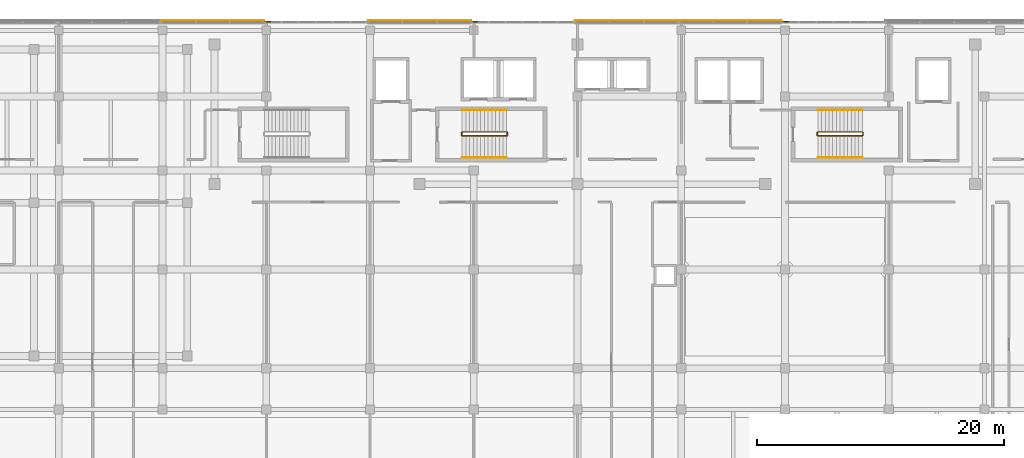
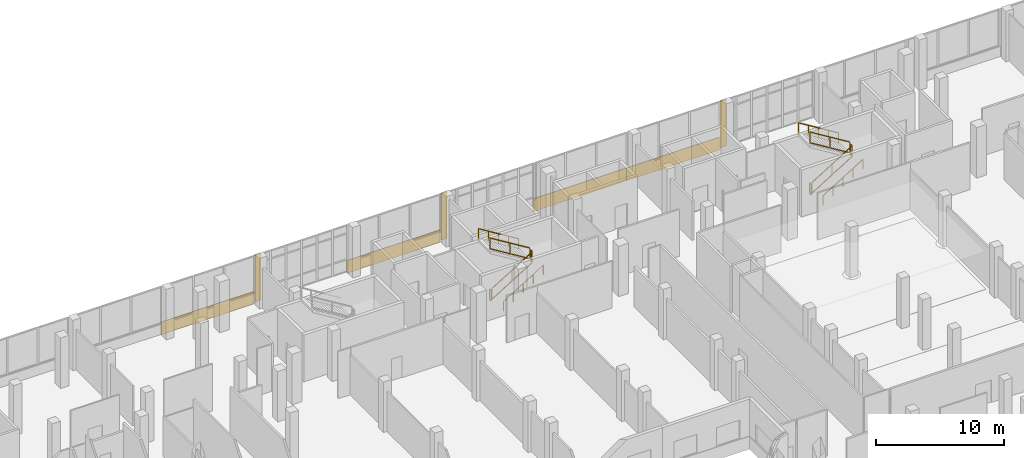
# One storey, part 153 of 155: 12 railings, 7 coverings.
"""IFC4 building model written with IfcOpenShell, lengths in metres."""

import ifcopenshell
import ifcopenshell.guid

model = None  # the IFC model being written
_history = None  # IfcOwnerHistory: only IFC2X3 demands one
_inside = {}  # id of a spatial element -> (the spatial element, [elements in it])
_under = {}  # id of a project, library or spatial element -> (it, [spatial elements below it])
_declared = {}  # id of a project -> (the project, [libraries it declares])
_typed = {}  # id of a type object -> (the type object, [elements of that type])
_made_of = {}  # id of a material, layer set ... -> (it, [elements and type objects made of it])


def new_model(schema):
    """Start an empty IFC model of exactly this schema.

    Asked for "IFC4X3", IfcOpenShell would pick the latest addendum, in which some entities
    have other attributes; the version numbers below select the first issue.
    IFC2X3 requires an IfcOwnerHistory on every rooted entity: one is made here for all.
    """
    global model, _history
    if schema == "IFC4X3":
        model = ifcopenshell.file(schema_version=(4, 3, 0, 0))
    else:
        model = ifcopenshell.file(schema=schema)
    _inside.clear()
    _under.clear()
    _declared.clear()
    _typed.clear()
    _made_of.clear()
    _history = None
    if model.schema == "IFC2X3":
        org = make("IfcOrganization", Name="unknown")
        user = make(
            "IfcPersonAndOrganization",
            ThePerson=make("IfcPerson", FamilyName="unknown"),
            TheOrganization=org,
        )
        app = make(
            "IfcApplication",
            ApplicationDeveloper=org,
            Version="unknown",
            ApplicationFullName="unknown",
            ApplicationIdentifier="unknown",
        )
        _history = make(
            "IfcOwnerHistory",
            OwningUser=user,
            OwningApplication=app,
            ChangeAction="ADDED",
            CreationDate=0,
        )
    return model


def make(cls, **values):
    """One entity of the class cls with the attributes given. An attribute that is None is left unset."""
    return model.create_entity(
        cls, **{name: value for name, value in values.items() if value is not None}
    )


def rooted(cls, **values):
    """An entity with a GlobalId (a new one), such as an element, a storey or a relation."""
    return make(cls, GlobalId=ifcopenshell.guid.new(), OwnerHistory=_history, **values)


def si_unit(unit_type, name, prefix=None):
    """IfcSIUnit, for example si_unit("LENGTHUNIT", "METRE", prefix="MILLI")."""
    return make("IfcSIUnit", UnitType=unit_type, Prefix=prefix, Name=name)


def assignment(units):
    """IfcUnitAssignment: the units of a project."""
    return None if units is None else make("IfcUnitAssignment", Units=units)


def point(xyz):
    """IfcCartesianPoint."""
    return None if xyz is None else make("IfcCartesianPoint", Coordinates=xyz)


def direction(xyz):
    """IfcDirection."""
    return None if xyz is None else make("IfcDirection", DirectionRatios=xyz)


def frame(location, z_axis=None, x_axis=None):
    """IfcAxis2Placement3D, a coordinate frame: its origin and axes. An axis left out is left unset."""
    return make(
        "IfcAxis2Placement3D",
        Location=point(location),
        Axis=direction(z_axis),
        RefDirection=direction(x_axis),
    )


def frame_2d(location, x_axis=None):
    """IfcAxis2Placement2D, a coordinate frame in the plane: its origin and x axis."""
    return make(
        "IfcAxis2Placement2D", Location=point(location), RefDirection=direction(x_axis)
    )


def origin():
    """The frame at (0, 0, 0) with its axes left unset."""
    return frame((0.0, 0.0, 0.0))


def origin_2d():
    """The frame at (0, 0) in the plane with its x axis left unset."""
    return frame_2d((0.0, 0.0))


def place(relative_to, where):
    """IfcLocalPlacement: puts the frame where relative to a parent placement (None: the world)."""
    return make(
        "IfcLocalPlacement", PlacementRelTo=relative_to, RelativePlacement=where
    )


def context(
    kind, dimensions, precision=None, world=None, true_north=None, identifier=None
):
    """IfcGeometricRepresentationContext, for example the 3D "Model" context."""
    return make(
        "IfcGeometricRepresentationContext",
        ContextIdentifier=identifier,
        ContextType=kind,
        CoordinateSpaceDimension=dimensions,
        Precision=precision,
        WorldCoordinateSystem=world,
        TrueNorth=true_north,
    )


def subcontext(parent, identifier, kind, view, scale=None):
    """IfcGeometricRepresentationSubContext, for example "Body" below "Model"."""
    return make(
        "IfcGeometricRepresentationSubContext",
        ContextIdentifier=identifier,
        ContextType=kind,
        ParentContext=parent,
        TargetScale=scale,
        TargetView=view,
    )


def project(units=None, contexts=None):
    """IfcProject with its units and contexts."""
    return rooted(
        "IfcProject",
        Name="project",
        RepresentationContexts=contexts,
        UnitsInContext=assignment(units),
    )


def spatial(cls, under=None, at=None, **own):
    """A site, building, storey or space (cls), placed at a placement, below another one or the project."""
    s = rooted(cls, ObjectPlacement=at, **own)
    if under is not None:
        _under.setdefault(under.id(), (under, []))[1].append(s)
    return s


def profile(cls, at=None, kind="AREA", **sizes):
    """A parametric profile (cls). Its sizes go by their IFC names, for example OverallWidth=200.0."""
    return make(cls, ProfileType=kind, Position=at, **sizes)


def rectangle(**sizes):
    """IfcRectangleProfileDef."""
    return profile("IfcRectangleProfileDef", **sizes)


def circle(**sizes):
    """IfcCircleProfileDef."""
    return profile("IfcCircleProfileDef", **sizes)


def extrude(swept, where, along, depth):
    """IfcExtrudedAreaSolid: the profile swept, set in the frame where, extruded along a direction by depth."""
    return make(
        "IfcExtrudedAreaSolid",
        SweptArea=swept,
        Position=where,
        ExtrudedDirection=direction(along),
        Depth=depth,
    )


def shape(context_of_items, identifier, shape_type, items):
    """IfcShapeRepresentation: the items that make up one representation, for example the "Body"."""
    return make(
        "IfcShapeRepresentation",
        ContextOfItems=context_of_items,
        RepresentationIdentifier=identifier,
        RepresentationType=shape_type,
        Items=items,
    )


def material(Name=None, Category=None):
    """IfcMaterial."""
    return make("IfcMaterial", Name=Name, Category=Category)


def layer(
    of_material, thickness, ventilated=None, Name=None, Category=None, Priority=None
):
    """IfcMaterialLayer: one layer of a wall or slab, of a material (None: an air gap)."""
    return make(
        "IfcMaterialLayer",
        Material=of_material,
        LayerThickness=thickness,
        IsVentilated=ventilated,
        Name=Name,
        Category=Category,
        Priority=Priority,
    )


def layer_set(layers, Name=None):
    """IfcMaterialLayerSet."""
    return make("IfcMaterialLayerSet", MaterialLayers=layers, LayerSetName=Name)


def made_of(thing, what):
    """Note that an element or type object is made of a material, layer set ...; save() writes the relation."""
    if what is not None:
        _made_of.setdefault(what.id(), (what, []))[1].append(thing)
    return thing


def type_object(cls, material=None, **own):
    """A type object (cls), such as IfcWallType, which elements share."""
    return made_of(rooted(cls, **own), material)


def element(
    cls,
    number,
    at=None,
    inside=None,
    cuts=None,
    type_object=None,
    material=None,
    context=None,
    identifier="Body",
    shape_type=None,
    held_by="IfcProductDefinitionShape",
    body=None,
    shapes=None,
    **own,
):
    """One element of the class cls, such as IfcWall. Its Tag is "e" and its number.

    at: its placement. inside: the storey or other place that contains it. cuts: it is an
    opening in that element (IfcRelVoidsElement). A single representation is given by context,
    identifier, shape_type and body (its items); several are given by shapes. held_by: the class
    of the entity that holds the representations. save() writes the other relations.
    """
    e = rooted(cls, Tag="e%d" % number, ObjectPlacement=at, **own)
    if body is not None:
        shapes = [shape(context, identifier, shape_type, body)]
    if shapes is not None:
        e.Representation = make(held_by, Representations=shapes)
    if inside is not None:
        _inside.setdefault(inside.id(), (inside, []))[1].append(e)
    if cuts is not None:
        rooted(
            "IfcRelVoidsElement", RelatingBuildingElement=cuts, RelatedOpeningElement=e
        )
    if type_object is not None:
        _typed.setdefault(type_object.id(), (type_object, []))[1].append(e)
    return made_of(e, material)


def aggregate(whole, parts):
    """IfcRelAggregates: a whole, such as a stair, and the parts it consists of."""
    return rooted("IfcRelAggregates", RelatingObject=whole, RelatedObjects=parts)


def save(model, path):
    """Write the relations noted so far, then the file.

    IfcRelAggregates (storeys below a building ...), IfcRelContainedInSpatialStructure (elements
    in a storey), IfcRelDefinesByType, IfcRelAssociatesMaterial and IfcRelDeclares: one each for
    every whole, place, type object, material and project.
    """
    for whole, parts in _under.values():
        aggregate(whole, parts)
    for where, things in _inside.values():
        rooted(
            "IfcRelContainedInSpatialStructure",
            RelatedElements=things,
            RelatingStructure=where,
        )
    for kind, things in _typed.values():
        rooted("IfcRelDefinesByType", RelatedObjects=things, RelatingType=kind)
    for what, things in _made_of.values():
        rooted("IfcRelAssociatesMaterial", RelatedObjects=things, RelatingMaterial=what)
    for by, libraries in _declared.values():
        rooted("IfcRelDeclares", RelatingContext=by, RelatedDefinitions=libraries)
    model.write(path)


model = new_model("IFC4")

# Units and contexts
model_context = context("Model", 3, precision=1e-05, world=origin(), true_north=direction((0.0, 1.0)))
body_context = subcontext(model_context, "Body", "Model", "MODEL_VIEW")
ifc_project = project(units=[si_unit("LENGTHUNIT", "METRE"), si_unit("AREAUNIT", "SQUARE_METRE"), si_unit("VOLUMEUNIT", "CUBIC_METRE"), si_unit("PLANEANGLEUNIT", "RADIAN"), si_unit("MASSUNIT", "GRAM", prefix="KILO")], contexts=[model_context])

# Site, building, storey
site_placement = place(None, origin())
site = spatial("IfcSite", under=ifc_project, at=site_placement, CompositionType="ELEMENT")
building_placement = place(site_placement, origin())
building = spatial("IfcBuilding", under=site, at=building_placement, Name="Selatvlak General Hospital", CompositionType="ELEMENT")
storey_placement = place(building_placement, frame((0.0, 0.0, 10.199951171875)))
storey = spatial("IfcBuildingStorey", under=building, at=storey_placement, Name="L02", CompositionType="ELEMENT", Elevation=10.199951171875)

# Coverings
ifc_material_1 = material(Name="White Bauhaus fair-faced cladding panel")
ifc_layer = layer(ifc_material_1, 0.054931640625, Name="White Bauhaus fair-faced cladding panel")
ifc_layer_set = layer_set([ifc_layer], Name="White Bauhaus fair-faced cladding panel")
covering_type = type_object("IfcCoveringType", Name="COV-WHT1", PredefinedType="CLADDING", material=ifc_layer_set)
covering_1_placement = place(storey_placement, frame((85.6298828125, 120.1640625, -0.27978515625), z_axis=(0.0, 0.0, 1.0), x_axis=(1.0, 0.0, 0.0)))
element("IfcCovering", 1, at=covering_1_placement, inside=storey, type_object=covering_type, Name="L02 Bauhaus horizontal white spandrel band 0150", PredefinedType="CLADDING", context=body_context, shape_type="SweptSolid", body=[
    extrude(rectangle(XDim=8.3798828125, YDim=0.054931640625, at=origin_2d()), origin(), (0.0, 0.0, 1.0), 1.219970703125),
])
covering_2_placement = place(storey_placement, frame((90.094970703125, 120.0439453125, 0.0), z_axis=(0.0, 0.0, 1.0), x_axis=(1.0, 0.0, 0.0)))
element("IfcCovering", 2, at=covering_2_placement, inside=storey, type_object=covering_type, Name="L02 Bauhaus vertical core pilaster 0151", PredefinedType="CLADDING", context=body_context, shape_type="SweptSolid", body=[
    extrude(rectangle(XDim=0.550048828125, YDim=0.054931640625, at=origin_2d()), origin(), (0.0, 0.0, 1.0), 4.4599609375),
])
covering_3_placement = place(storey_placement, frame((102.388916015625, 120.1640625, -0.27978515625), z_axis=(0.0, 0.0, 1.0), x_axis=(0.999999992537, 0.000122173047, 0.0)))
element("IfcCovering", 3, at=covering_3_placement, inside=storey, type_object=covering_type, Name="L02 Bauhaus horizontal white spandrel band 0152", PredefinedType="CLADDING", context=body_context, shape_type="SweptSolid", body=[
    extrude(rectangle(XDim=8.37890625, YDim=0.054931640625, at=origin_2d()), origin(), (0.0, 0.0, 1.0), 1.219970703125),
])
covering_4_placement = place(storey_placement, frame((106.85400390625, 120.044921875, 0.0), z_axis=(0.0, 0.0, 1.0), x_axis=(1.0, 0.0, 0.0)))
element("IfcCovering", 4, at=covering_4_placement, inside=storey, type_object=covering_type, Name="L02 Bauhaus vertical core pilaster 0153", PredefinedType="CLADDING", context=body_context, shape_type="SweptSolid", body=[
    extrude(rectangle(XDim=0.550048828125, YDim=0.054931640625, at=origin_2d()), origin(), (0.0, 0.0, 1.0), 4.4599609375),
])
for number, where, z_axis, x_axis, name in (
    (5, (119.14892578125, 120.1650390625, -0.27978515625), (0.0, 0.0, 1.0), (1.0, 0.0, 0.0), "L02 Bauhaus horizontal white spandrel band 0154"),
    (6, (127.529052734375, 120.1650390625, -0.27978515625), (0.0, 0.0, 1.0), (1.0, 0.0, 0.0), "L02 Bauhaus horizontal white spandrel band 0155"),
):
    element("IfcCovering", number, at=place(storey_placement, frame(where, z_axis=z_axis, x_axis=x_axis)), inside=storey, type_object=covering_type, Name=name, PredefinedType="CLADDING", context=body_context, shape_type="SweptSolid", body=[
        extrude(rectangle(XDim=8.3798828125, YDim=0.054931640625, at=origin_2d()), origin(), (0.0, 0.0, 1.0), 1.219970703125),
    ])
covering_5_placement = place(storey_placement, frame((131.993896484375, 120.044921875, 0.0), z_axis=(0.0, 0.0, 1.0), x_axis=(1.0, 0.0, 0.0)))
element("IfcCovering", 7, at=covering_5_placement, inside=storey, type_object=covering_type, Name="L02 Bauhaus vertical core pilaster 0156", PredefinedType="CLADDING", context=body_context, shape_type="SweptSolid", body=[
    extrude(rectangle(XDim=0.550048828125, YDim=0.054931640625, at=origin_2d()), origin(), (0.0, 0.0, 1.0), 4.4599609375),
])

# Railings
ifc_material_2 = material(Name="Stainless steel 316 stair guard", Category="steel")
railing_type_1 = type_object("IfcRailingType", Name="RAIL-STG", PredefinedType="GUARDRAIL", material=ifc_material_2)
railing_1_placement = place(storey_placement, frame((105.860107421875, 110.81005859375, 0.1845703125)))
element("IfcRailing", 8, at=railing_1_placement, inside=storey, type_object=railing_type_1, Name="L02 ST-03 stair guard 1", PredefinedType="GUARDRAIL", context=body_context, shape_type="SweptSolid", body=[
    extrude(rectangle(XDim=0.068115234375, YDim=0.068115234375, at=origin_2d()), frame((0.00244140625, 0.0, 1.067626953125), z_axis=(0.851628569182, 0.0, 0.524145762315), x_axis=(0.0, 1.0, 0.0)), (0.0, 0.0, 1.0), 4.22119140625),
    extrude(rectangle(XDim=0.068115234375, YDim=0.068115234375, at=origin_2d()), frame((0.00244140625, 0.0, 0.050537109375), z_axis=(0.851628569182, 0.0, 0.524145762315), x_axis=(0.0, 1.0, 0.0)), (0.0, 0.0, 1.0), 4.22119140625),
    extrude(rectangle(XDim=0.055908203125, YDim=0.055908203125, at=origin_2d()), origin(), (0.0, 0.0, 1.0), 1.029052734375),
    extrude(rectangle(XDim=0.055908203125, YDim=0.055908203125, at=origin_2d()), frame((1.7998046875, 0.0, 1.10791015625)), (0.0, 0.0, 1.0), 1.029052734375),
    extrude(rectangle(XDim=0.055908203125, YDim=0.055908203125, at=origin_2d()), frame((3.599853515625, 0.0, 2.215576171875)), (0.0, 0.0, 1.0), 1.029052734375),
])
railing_2_placement = place(storey_placement, frame((109.510009765625, 110.860107421875, 2.400146484375)))
element("IfcRailing", 9, at=railing_2_placement, inside=storey, type_object=railing_type_1, Name="L02 ST-03 stair guard 2", PredefinedType="GUARDRAIL", context=body_context, shape_type="SweptSolid", body=[
    extrude(rectangle(XDim=0.068115234375, YDim=0.068115234375, at=origin_2d()), frame((0.0, 0.0029296875, 1.06591796875), z_axis=(0.0, 1.0, 0.0), x_axis=(-1.0, 0.0, 0.0)), (0.0, 0.0, 1.0), 0.214111328125),
    extrude(rectangle(XDim=0.068115234375, YDim=0.068115234375, at=origin_2d()), frame((0.0, 0.0029296875, 0.049072265625), z_axis=(0.0, 1.0, 0.0), x_axis=(-1.0, 0.0, 0.0)), (0.0, 0.0, 1.0), 0.214111328125),
    extrude(rectangle(XDim=0.055908203125, YDim=0.055908203125, at=origin_2d()), origin(), (0.0, 0.0, 1.0), 1.029052734375),
    extrude(rectangle(XDim=0.055908203125, YDim=0.055908203125, at=origin_2d()), frame((0.0, 0.219970703125, 0.0)), (0.0, 0.0, 1.0), 1.029052734375),
])
railing_3_placement = place(storey_placement, frame((109.4599609375, 111.1298828125, 2.584716796875)))
element("IfcRailing", 10, at=railing_3_placement, inside=storey, type_object=railing_type_1, Name="L02 ST-03 stair guard 3", PredefinedType="GUARDRAIL", context=body_context, shape_type="SweptSolid", body=[
    extrude(rectangle(XDim=0.068115234375, YDim=0.068115234375, at=origin_2d()), frame((-0.00244140625, 0.0, 1.067626953125), z_axis=(-0.851654350407, 0.0, 0.524103870844), x_axis=(0.0, -1.0, 0.0)), (0.0, 0.0, 1.0), 4.220947265625),
    extrude(rectangle(XDim=0.068115234375, YDim=0.068115234375, at=origin_2d()), frame((-0.00244140625, 0.0, 0.050537109375), z_axis=(-0.851654350407, 0.0, 0.524103870844), x_axis=(0.0, -1.0, 0.0)), (0.0, 0.0, 1.0), 4.220947265625),
    extrude(rectangle(XDim=0.055908203125, YDim=0.055908203125, at=origin_2d()), origin(), (0.0, 0.0, 1.0), 1.029052734375),
    extrude(rectangle(XDim=0.055908203125, YDim=0.055908203125, at=origin_2d()), frame((-1.7998046875, 0.0, 1.107666015625)), (0.0, 0.0, 1.0), 1.029052734375),
    extrude(rectangle(XDim=0.055908203125, YDim=0.055908203125, at=origin_2d()), frame((-3.599853515625, 0.0, 2.21533203125)), (0.0, 0.0, 1.0), 1.029052734375),
])
railing_4_placement = place(storey_placement, frame((105.81005859375, 110.860107421875, 0.0)))
element("IfcRailing", 11, at=railing_4_placement, inside=storey, type_object=railing_type_1, Name="L02 ST-03 stair guard 4", PredefinedType="GUARDRAIL", context=body_context, shape_type="SweptSolid", body=[
    extrude(rectangle(XDim=0.068115234375, YDim=0.068115234375, at=origin_2d()), frame((0.0, 0.0029296875, 1.06591796875), z_axis=(0.0, 1.0, 0.0), x_axis=(-1.0, 0.0, 0.0)), (0.0, 0.0, 1.0), 0.214111328125),
    extrude(rectangle(XDim=0.068115234375, YDim=0.068115234375, at=origin_2d()), frame((0.0, 0.0029296875, 0.049072265625), z_axis=(0.0, 1.0, 0.0), x_axis=(-1.0, 0.0, 0.0)), (0.0, 0.0, 1.0), 0.214111328125),
    extrude(rectangle(XDim=0.055908203125, YDim=0.055908203125, at=origin_2d()), origin(), (0.0, 0.0, 1.0), 1.029052734375),
    extrude(rectangle(XDim=0.055908203125, YDim=0.055908203125, at=origin_2d()), frame((0.0, 0.219970703125, 0.0)), (0.0, 0.0, 1.0), 1.029052734375),
])
railing_5_placement = place(storey_placement, frame((134.659912109375, 110.81005859375, 0.1845703125)))
element("IfcRailing", 12, at=railing_5_placement, inside=storey, type_object=railing_type_1, Name="L02 ST-04 stair guard 1", PredefinedType="GUARDRAIL", context=body_context, shape_type="SweptSolid", body=[
    extrude(rectangle(XDim=0.068115234375, YDim=0.068115234375, at=origin_2d()), frame((0.00244140625, 0.0, 1.067626953125), z_axis=(0.851644435552, 0.0, 0.524119981868), x_axis=(0.0, 1.0, 0.0)), (0.0, 0.0, 1.0), 4.221435546875),
    extrude(rectangle(XDim=0.068115234375, YDim=0.068115234375, at=origin_2d()), frame((0.00244140625, 0.0, 0.050537109375), z_axis=(0.851644435552, 0.0, 0.524119981868), x_axis=(0.0, 1.0, 0.0)), (0.0, 0.0, 1.0), 4.221435546875),
    extrude(rectangle(XDim=0.055908203125, YDim=0.055908203125, at=origin_2d()), origin(), (0.0, 0.0, 1.0), 1.029052734375),
    extrude(rectangle(XDim=0.055908203125, YDim=0.055908203125, at=origin_2d()), frame((1.800048828125, 0.0, 1.10791015625)), (0.0, 0.0, 1.0), 1.029052734375),
    extrude(rectangle(XDim=0.055908203125, YDim=0.055908203125, at=origin_2d()), frame((3.60009765625, 0.0, 2.215576171875)), (0.0, 0.0, 1.0), 1.029052734375),
])
railing_6_placement = place(storey_placement, frame((138.31005859375, 110.860107421875, 2.400146484375)))
element("IfcRailing", 13, at=railing_6_placement, inside=storey, type_object=railing_type_1, Name="L02 ST-04 stair guard 2", PredefinedType="GUARDRAIL", context=body_context, shape_type="SweptSolid", body=[
    extrude(rectangle(XDim=0.068115234375, YDim=0.068115234375, at=origin_2d()), frame((0.0, 0.0029296875, 1.06591796875), z_axis=(0.0, 1.0, 0.0), x_axis=(-1.0, 0.0, 0.0)), (0.0, 0.0, 1.0), 0.214111328125),
    extrude(rectangle(XDim=0.068115234375, YDim=0.068115234375, at=origin_2d()), frame((0.0, 0.0029296875, 0.049072265625), z_axis=(0.0, 1.0, 0.0), x_axis=(-1.0, 0.0, 0.0)), (0.0, 0.0, 1.0), 0.214111328125),
    extrude(rectangle(XDim=0.055908203125, YDim=0.055908203125, at=origin_2d()), origin(), (0.0, 0.0, 1.0), 1.029052734375),
    extrude(rectangle(XDim=0.055908203125, YDim=0.055908203125, at=origin_2d()), frame((0.0, 0.219970703125, 0.0)), (0.0, 0.0, 1.0), 1.029052734375),
])
railing_7_placement = place(storey_placement, frame((138.260009765625, 111.1298828125, 2.584716796875)))
element("IfcRailing", 14, at=railing_7_placement, inside=storey, type_object=railing_type_1, Name="L02 ST-04 stair guard 3", PredefinedType="GUARDRAIL", context=body_context, shape_type="SweptSolid", body=[
    extrude(rectangle(XDim=0.068115234375, YDim=0.068115234375, at=origin_2d()), frame((-0.00244140625, 0.0, 1.067626953125), z_axis=(-0.85167021472, 0.0, 0.524078090897), x_axis=(0.0, -1.0, 0.0)), (0.0, 0.0, 1.0), 4.22119140625),
    extrude(rectangle(XDim=0.068115234375, YDim=0.068115234375, at=origin_2d()), frame((-0.00244140625, 0.0, 0.050537109375), z_axis=(-0.85167021472, 0.0, 0.524078090897), x_axis=(0.0, -1.0, 0.0)), (0.0, 0.0, 1.0), 4.22119140625),
    extrude(rectangle(XDim=0.055908203125, YDim=0.055908203125, at=origin_2d()), origin(), (0.0, 0.0, 1.0), 1.029052734375),
    extrude(rectangle(XDim=0.055908203125, YDim=0.055908203125, at=origin_2d()), frame((-1.800048828125, 0.0, 1.107666015625)), (0.0, 0.0, 1.0), 1.029052734375),
    extrude(rectangle(XDim=0.055908203125, YDim=0.055908203125, at=origin_2d()), frame((-3.60009765625, 0.0, 2.21533203125)), (0.0, 0.0, 1.0), 1.029052734375),
])
railing_8_placement = place(storey_placement, frame((134.610107421875, 110.860107421875, 0.0)))
element("IfcRailing", 15, at=railing_8_placement, inside=storey, type_object=railing_type_1, Name="L02 ST-04 stair guard 4", PredefinedType="GUARDRAIL", context=body_context, shape_type="SweptSolid", body=[
    extrude(rectangle(XDim=0.068115234375, YDim=0.068115234375, at=origin_2d()), frame((0.0, 0.0029296875, 1.06591796875), z_axis=(0.0, 1.0, 0.0), x_axis=(-1.0, 0.0, 0.0)), (0.0, 0.0, 1.0), 0.214111328125),
    extrude(rectangle(XDim=0.068115234375, YDim=0.068115234375, at=origin_2d()), frame((0.0, 0.0029296875, 0.049072265625), z_axis=(0.0, 1.0, 0.0), x_axis=(-1.0, 0.0, 0.0)), (0.0, 0.0, 1.0), 0.214111328125),
    extrude(rectangle(XDim=0.055908203125, YDim=0.055908203125, at=origin_2d()), origin(), (0.0, 0.0, 1.0), 1.029052734375),
    extrude(rectangle(XDim=0.055908203125, YDim=0.055908203125, at=origin_2d()), frame((0.0, 0.219970703125, 0.0)), (0.0, 0.0, 1.0), 1.029052734375),
])
ifc_material_3 = material(Name="Stainless steel 316 handrail", Category="steel")
railing_type_2 = type_object("IfcRailingType", Name="RAIL-STH", PredefinedType="HANDRAIL", material=ifc_material_3)
railing_9_placement = place(storey_placement, frame((105.860107421875, 109.050048828125, 0.1845703125)))
element("IfcRailing", 16, at=railing_9_placement, inside=storey, type_object=railing_type_2, Name="L02 ST-03 stair handrail 1", PredefinedType="HANDRAIL", context=body_context, shape_type="SweptSolid", body=[
    extrude(circle(Radius=0.02392578125, at=origin_2d()), frame((0.00244140625, 0.0, 0.87744140625), z_axis=(0.851628569182, 0.0, 0.524145762315), x_axis=(0.0, 1.0, 0.0)), (0.0, 0.0, 1.0), 4.22119140625),
    extrude(circle(Radius=0.02099609375, at=origin_2d()), origin(), (0.0, 0.0, 1.0), 0.848876953125),
    extrude(circle(Radius=0.02099609375, at=origin_2d()), frame((0.89990234375, 0.0, 0.553955078125)), (0.0, 0.0, 1.0), 0.848876953125),
    extrude(circle(Radius=0.02099609375, at=origin_2d()), frame((1.7998046875, 0.0, 1.10791015625)), (0.0, 0.0, 1.0), 0.848876953125),
    extrude(circle(Radius=0.02099609375, at=origin_2d()), frame((2.699951171875, 0.0, 1.66162109375)), (0.0, 0.0, 1.0), 0.848876953125),
    extrude(circle(Radius=0.02099609375, at=origin_2d()), frame((3.599853515625, 0.0, 2.215576171875)), (0.0, 0.0, 1.0), 0.848876953125),
])
railing_10_placement = place(storey_placement, frame((109.4599609375, 112.889892578125, 2.584716796875)))
element("IfcRailing", 17, at=railing_10_placement, inside=storey, type_object=railing_type_2, Name="L02 ST-03 stair handrail 2", PredefinedType="HANDRAIL", context=body_context, shape_type="SweptSolid", body=[
    extrude(circle(Radius=0.02392578125, at=origin_2d()), frame((-0.00244140625, 0.0, 0.87744140625), z_axis=(-0.851654350407, 0.0, 0.524103870844), x_axis=(0.0, -1.0, 0.0)), (0.0, 0.0, 1.0), 4.220947265625),
    extrude(circle(Radius=0.02099609375, at=origin_2d()), origin(), (0.0, 0.0, 1.0), 0.848876953125),
    extrude(circle(Radius=0.02099609375, at=origin_2d()), frame((-0.89990234375, 0.0, 0.5537109375)), (0.0, 0.0, 1.0), 0.848876953125),
    extrude(circle(Radius=0.02099609375, at=origin_2d()), frame((-1.7998046875, 0.0, 1.107666015625)), (0.0, 0.0, 1.0), 0.848876953125),
    extrude(circle(Radius=0.02099609375, at=origin_2d()), frame((-2.699951171875, 0.0, 1.66162109375)), (0.0, 0.0, 1.0), 0.848876953125),
    extrude(circle(Radius=0.02099609375, at=origin_2d()), frame((-3.599853515625, 0.0, 2.21533203125)), (0.0, 0.0, 1.0), 0.848876953125),
])
railing_11_placement = place(storey_placement, frame((134.659912109375, 109.050048828125, 0.1845703125)))
element("IfcRailing", 18, at=railing_11_placement, inside=storey, type_object=railing_type_2, Name="L02 ST-04 stair handrail 1", PredefinedType="HANDRAIL", context=body_context, shape_type="SweptSolid", body=[
    extrude(circle(Radius=0.02392578125, at=origin_2d()), frame((0.00244140625, 0.0, 0.87744140625), z_axis=(0.851644435552, 0.0, 0.524119981868), x_axis=(0.0, 1.0, 0.0)), (0.0, 0.0, 1.0), 4.221435546875),
    extrude(circle(Radius=0.02099609375, at=origin_2d()), origin(), (0.0, 0.0, 1.0), 0.848876953125),
    extrude(circle(Radius=0.02099609375, at=origin_2d()), frame((0.89990234375, 0.0, 0.553955078125)), (0.0, 0.0, 1.0), 0.848876953125),
    extrude(circle(Radius=0.02099609375, at=origin_2d()), frame((1.800048828125, 0.0, 1.10791015625)), (0.0, 0.0, 1.0), 0.848876953125),
    extrude(circle(Radius=0.02099609375, at=origin_2d()), frame((2.7001953125, 0.0, 1.66162109375)), (0.0, 0.0, 1.0), 0.848876953125),
    extrude(circle(Radius=0.02099609375, at=origin_2d()), frame((3.60009765625, 0.0, 2.215576171875)), (0.0, 0.0, 1.0), 0.848876953125),
])
railing_12_placement = place(storey_placement, frame((138.260009765625, 112.889892578125, 2.584716796875)))
element("IfcRailing", 19, at=railing_12_placement, inside=storey, type_object=railing_type_2, Name="L02 ST-04 stair handrail 2", PredefinedType="HANDRAIL", context=body_context, shape_type="SweptSolid", body=[
    extrude(circle(Radius=0.02392578125, at=origin_2d()), frame((-0.00244140625, 0.0, 0.87744140625), z_axis=(-0.85167021472, 0.0, 0.524078090897), x_axis=(0.0, -1.0, 0.0)), (0.0, 0.0, 1.0), 4.22119140625),
    extrude(circle(Radius=0.02099609375, at=origin_2d()), origin(), (0.0, 0.0, 1.0), 0.848876953125),
    extrude(circle(Radius=0.02099609375, at=origin_2d()), frame((-0.89990234375, 0.0, 0.5537109375)), (0.0, 0.0, 1.0), 0.848876953125),
    extrude(circle(Radius=0.02099609375, at=origin_2d()), frame((-1.800048828125, 0.0, 1.107666015625)), (0.0, 0.0, 1.0), 0.848876953125),
    extrude(circle(Radius=0.02099609375, at=origin_2d()), frame((-2.7001953125, 0.0, 1.66162109375)), (0.0, 0.0, 1.0), 0.848876953125),
    extrude(circle(Radius=0.02099609375, at=origin_2d()), frame((-3.60009765625, 0.0, 2.21533203125)), (0.0, 0.0, 1.0), 0.848876953125),
])

save(model, "model.ifc")
